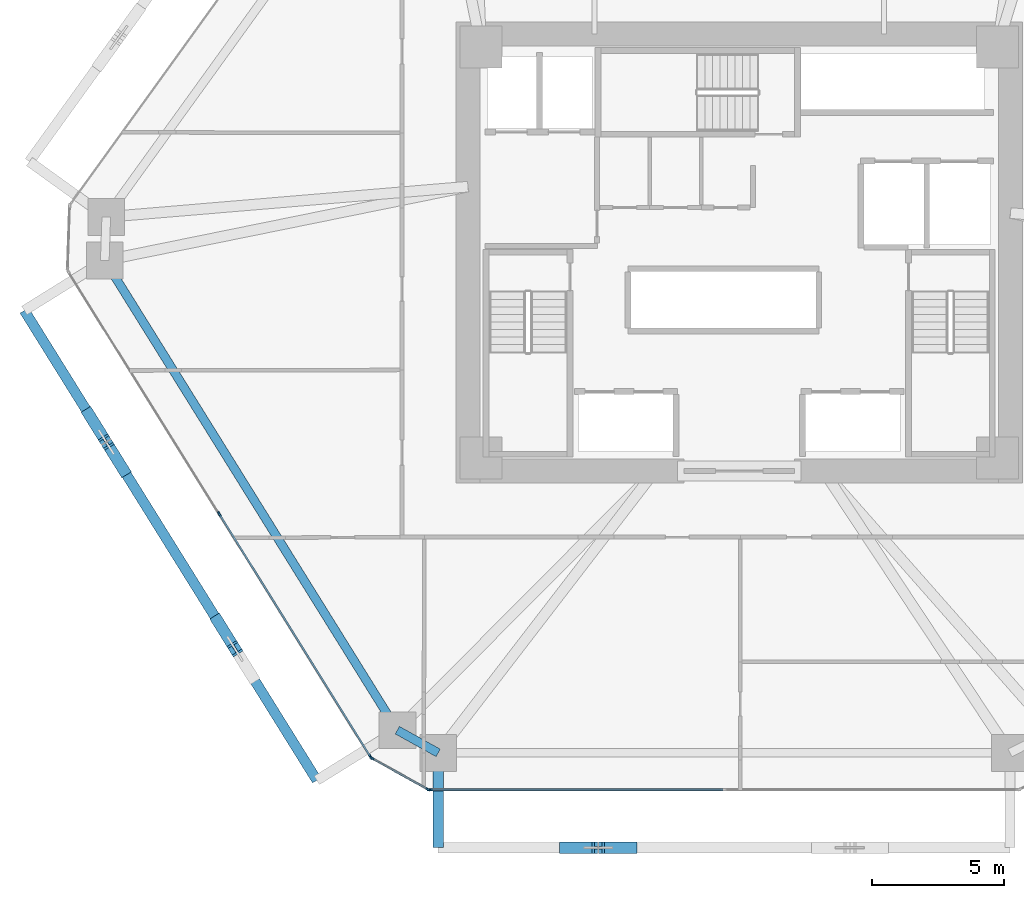
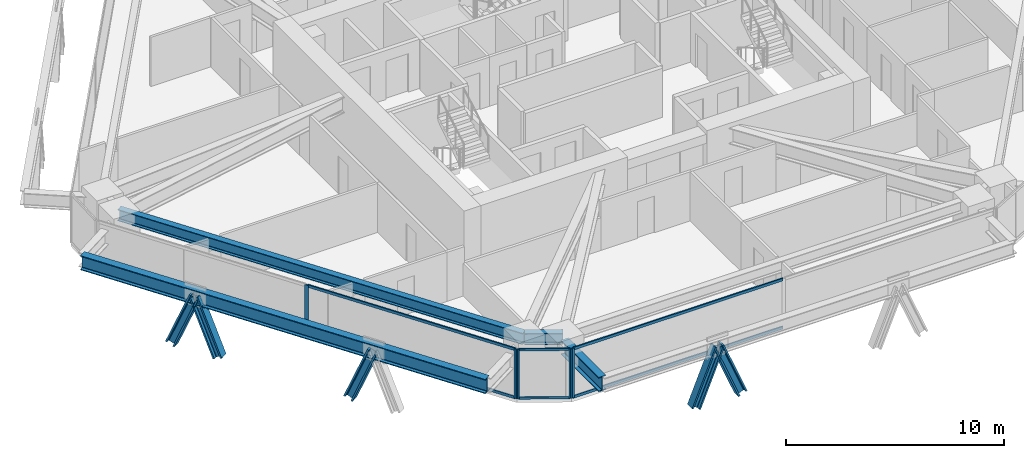
# One storey, part 2 of 18: 16 members, 4 beams, 3 elements without a shape of their own.
"""IFC4 building model written with IfcOpenShell, lengths in metres."""

from ifc_helpers import new_model, si_unit, direction, frame, origin, origin_2d, place, context, subcontext, project, spatial, rectangle, i_section, extrude, source, transform, mapped, material, layer, layer_set, material_profile, profile_set, type_object, type_shapes, element, aggregate, save


model = new_model("IFC4")

# Units and contexts
model_context = context("Model", 3, precision=1e-05, world=origin(), true_north=direction((0.0, 1.0)))
body_context = subcontext(model_context, "Body", "Model", "MODEL_VIEW")
ifc_project = project(units=[si_unit("LENGTHUNIT", "METRE"), si_unit("AREAUNIT", "SQUARE_METRE"), si_unit("VOLUMEUNIT", "CUBIC_METRE"), si_unit("PLANEANGLEUNIT", "RADIAN"), si_unit("MASSUNIT", "GRAM", prefix="KILO")], contexts=[model_context])

# Site, building, storey
site_placement = place(None, origin())
site = spatial("IfcSite", under=ifc_project, at=site_placement, CompositionType="ELEMENT")
building_placement = place(site_placement, origin())
building = spatial("IfcBuilding", under=site, at=building_placement, Name="Durnholm Broadcast Tower", CompositionType="ELEMENT")
storey_placement = place(building_placement, frame((0.0, 0.0, 78.300048828125)))
storey = spatial("IfcBuildingStorey", under=building, at=storey_placement, Name="L20", CompositionType="ELEMENT", Elevation=78.300048828125)

# Beams
ifc_material_1 = material(Name="Steel ASTM A992 Grade 50", Category="steel")
ifc_material_profile_1 = material_profile(ifc_material_1, i_section(OverallWidth=0.3291015625, OverallDepth=0.635009765625, WebThickness=0.017822265625, FlangeThickness=0.031005859375, FilletRadius=0.02783203125, at=origin_2d()), Name="W24X162")
ifc_profile_set_1 = profile_set([ifc_material_profile_1], Name="Steel ASTM A992 Grade 50")
beam_type_1 = type_object("IfcBeamType", Name="STL-SP-W24X162", PredefinedType="SPANDREL", material=ifc_profile_set_1)
shared_shape_1 = source(origin(), body_context, "Body", "SweptSolid", [
    extrude(i_section(OverallWidth=0.3291015625, OverallDepth=0.635009765625, WebThickness=0.017822265625, FlangeThickness=0.031005859375, FilletRadius=0.02783203125, at=origin_2d()), origin(), (0.0, 0.0, 1.0), 21.014404296875),
])
beam_1_placement = place(storey_placement, frame((-12.982666015625, -18.138427734375, 2.427490234375), z_axis=(-0.528595731543, 0.848873696491, 0.0), x_axis=(-0.848873696491, -0.528595731543, 0.0)))
element("IfcBeam", 1, at=beam_1_placement, inside=storey, type_object=beam_type_1, Name="L20 perimeter spandrel girder 01", PredefinedType="SPANDREL", context=body_context, shape_type="MappedRepresentation", body=[
    mapped(shared_shape_1, transform((0.0, 0.0, 0.0), x_axis=(1.0, 0.0, 0.0), y_axis=(0.0, 1.0, 0.0), z_axis=(0.0, 0.0, 1.0), scale=1.0)),
])
shared_shape_2 = source(origin(), body_context, "Body", "SweptSolid", [
    extrude(i_section(OverallWidth=0.3291015625, OverallDepth=0.635009765625, WebThickness=0.017822265625, FlangeThickness=0.031005859375, FilletRadius=0.02783203125, at=origin_2d()), origin(), (0.0, 0.0, 1.0), 1.774658203125),
])
type_shapes(beam_type_1, [shared_shape_1, shared_shape_2])
beam_2_placement = place(storey_placement, frame((-11.43115234375, -19.0, 2.427490234375), z_axis=(-0.874248107979, 0.485479397806, 0.0), x_axis=(-0.485479397806, -0.874248107979, 0.0)))
element("IfcBeam", 2, at=beam_2_placement, inside=storey, type_object=beam_type_1, Name="L20 perimeter spandrel girder 12", PredefinedType="SPANDREL", context=body_context, shape_type="MappedRepresentation", body=[
    mapped(shared_shape_2, transform((0.0, 0.0, 0.0), x_axis=(1.0, 0.0, 0.0), y_axis=(0.0, 1.0, 0.0), z_axis=(0.0, 0.0, 1.0), scale=1.0)),
])
ifc_material_profile_2 = material_profile(ifc_material_1, i_section(OverallWidth=0.385009765625, OverallDepth=0.802978515625, WebThickness=0.023681640625, FlangeThickness=0.0419921875, FilletRadius=0.032958984375, at=origin_2d()), Name="W30X261")
ifc_profile_set_2 = profile_set([ifc_material_profile_2], Name="Steel ASTM A992 Grade 50")
beam_type_2 = type_object("IfcBeamType", Name="BM-EXO-TIE", PredefinedType="USERDEFINED", material=ifc_profile_set_2)
shared_shape_3 = source(origin(), body_context, "Body", "SweptSolid", [
    extrude(i_section(OverallWidth=0.385009765625, OverallDepth=0.802978515625, WebThickness=0.023681640625, FlangeThickness=0.0419921875, FilletRadius=0.032958984375, at=origin_2d()), origin(), (0.0, 0.0, 1.0), 3.4560546875),
])
beam_3_placement = place(storey_placement, frame((-11.43115234375, -19.14404296875, 2.008544921875), z_axis=(0.0, -1.0, 0.0), x_axis=(1.0, 0.0, 0.0)))
element("IfcBeam", 3, at=beam_3_placement, inside=storey, type_object=beam_type_2, Name="L20 exoskeleton stand-off tie bracket F1.1", ObjectType="GIRDER", PredefinedType="USERDEFINED", context=body_context, shape_type="MappedRepresentation", body=[
    mapped(shared_shape_3, transform((0.0, 0.0, 0.0), x_axis=(1.0, 0.0, 0.0), y_axis=(0.0, 1.0, 0.0), z_axis=(0.0, 0.0, 1.0), scale=1.0)),
])
shared_shape_4 = source(origin(), body_context, "Body", "SweptSolid", [
    extrude(i_section(OverallWidth=0.385009765625, OverallDepth=0.802978515625, WebThickness=0.023681640625, FlangeThickness=0.0419921875, FilletRadius=0.032958984375, at=origin_2d()), origin(), (0.0, 0.0, 1.0), 21.0146484375),
])
type_shapes(beam_type_2, [shared_shape_3, shared_shape_4])
beam_4_placement = place(storey_placement, frame((-27.146728515625, -2.20263671875, 2.008544921875), z_axis=(0.528590518575, -0.848876942597, 0.0), x_axis=(0.848876942597, 0.528590518575, 0.0)))
element("IfcBeam", 4, at=beam_4_placement, inside=storey, type_object=beam_type_2, Name="L20 exoskeleton collector spandrel F6", PredefinedType="SPANDREL", context=body_context, shape_type="MappedRepresentation", body=[
    mapped(shared_shape_4, transform((0.0, 0.0, 0.0), x_axis=(1.0, 0.0, 0.0), y_axis=(0.0, 1.0, 0.0), z_axis=(0.0, 0.0, 1.0), scale=1.0)),
])

# Members
ifc_material_2 = material(Name="Steel ASTM A913 Grade 65", Category="steel")
ifc_material_profile_3 = material_profile(ifc_material_2, i_section(OverallWidth=0.43212890625, OverallDepth=0.497802734375, WebThickness=0.0556640625, FlangeThickness=0.0888671875, FilletRadius=0.030517578125, at=origin_2d()), Name="W14X500")
ifc_profile_set_3 = profile_set([ifc_material_profile_3], Name="Steel ASTM A913 Grade 65")
member_type_1 = type_object("IfcMemberType", Name="STL-DG-W14X500", PredefinedType="BRACE", material=ifc_profile_set_3)
shared_shape_5 = source(origin(), body_context, "Body", "SweptSolid", [
    extrude(i_section(OverallWidth=0.43212890625, OverallDepth=0.497802734375, WebThickness=0.0556640625, FlangeThickness=0.0888671875, FilletRadius=0.030517578125, at=origin_2d()), origin(), (0.0, 0.0, 1.0), 3.243896484375),
])
type_shapes(member_type_1, [shared_shape_5])
for number, where, z_axis, x_axis, name in (
    (5, (-6.585205078125, -22.60009765625, -0.991455078125), (0.380378804119, 0.0, 0.924830776616), (0.0, 1.0, 0.0), "L20 stand-off diagrid brace F1.D1.1"),
    (6, (-4.117431640625, -22.60009765625, -0.991455078125), (-0.380378804119, 0.0, 0.924830776616), (0.0, -1.0, 0.0), "L20 stand-off diagrid brace F1.D1.2"),
    (7, (-24.688720703125, -6.150146484375, -0.991455078125), (0.201102088214, -0.322877229954, 0.924828764958), (0.848819847179, 0.528682198523, 0.0), "L20 stand-off diagrid brace F6.D1.1"),
    (8, (-23.38427734375, -8.244873046875, -0.991455078125), (-0.201029867597, 0.322882116058, 0.9248427604), (-0.848908635391, -0.528539618911, 0.0), "L20 stand-off diagrid brace F6.D1.2"),
    (9, (-19.801025390625, -13.9990234375, -0.991455078125), (0.201029867597, -0.322882116058, 0.9248427604), (0.848908635391, 0.528539618911, 0.0), "L20 stand-off diagrid brace F6.D2.1"),
):
    element("IfcMember", number, at=place(storey_placement, frame(where, z_axis=z_axis, x_axis=x_axis)), inside=storey, type_object=member_type_1, Name=name, PredefinedType="BRACE", context=body_context, shape_type="MappedRepresentation", body=[
        mapped(shared_shape_5, transform((0.0, 0.0, 0.0), x_axis=(1.0, 0.0, 0.0), y_axis=(0.0, 1.0, 0.0), z_axis=(0.0, 0.0, 1.0), scale=1.0)),
    ])

# Curtain wall, members
ifc_material_3 = material(Name="Aluminium and Solar Control IGU", Category="aluminium")
ifc_layer_1 = layer(ifc_material_3, 0.1650390625)
ifc_layer_set_1 = layer_set([ifc_layer_1], Name="Aluminium and Solar Control IGU")
curtain_wall_type_1 = type_object("IfcCurtainWallType", Name="CW-SYS-5", PredefinedType="NOTDEFINED", material=ifc_layer_set_1)
curtain_wall_1_placement = place(storey_placement, origin())
curtain_wall_1 = element("IfcCurtainWall", 10, at=curtain_wall_1_placement, inside=storey, type_object=curtain_wall_type_1, Name="L20 curtain wall CW-CORNER CW-L20-CRN-11", PredefinedType="NOTDEFINED")
ifc_material_4 = material(Name="Aluminium 6063-T6", Category="aluminium")
ifc_material_profile_4 = material_profile(ifc_material_4, rectangle(XDim=0.06494140625, YDim=0.1298828125, at=origin_2d()), Name="CWT65X130")
ifc_profile_set_4 = profile_set([ifc_material_profile_4], Name="Aluminium 6063-T6")
member_type_2 = type_object("IfcMemberType", Name="CW-SYS-5-TRN", PredefinedType="USERDEFINED", material=ifc_profile_set_4)
shared_shape_6 = source(origin(), body_context, "Body", "SweptSolid", [
    extrude(rectangle(XDim=0.06494140625, YDim=0.1298828125, at=origin_2d()), origin(), (0.0, 0.0, 1.0), 2.3701171875),
])
type_shapes(member_type_2, [shared_shape_6])
member_1_placement = place(storey_placement, frame((-11.8505859375, -20.368408203125, 0.032470703125), z_axis=(-0.874244723151, 0.485485493132, 0.0), x_axis=(-0.485485493132, -0.874244723151, 0.0)))
member_1 = element("IfcMember", 11, at=member_1_placement, type_object=member_type_2, Name="CW-CORNER transom 1.1", ObjectType="TRANSOM", PredefinedType="USERDEFINED", context=body_context, shape_type="MappedRepresentation", body=[
    mapped(shared_shape_6, transform((0.0, 0.0, 0.0), x_axis=(1.0, 0.0, 0.0), y_axis=(0.0, 1.0, 0.0), z_axis=(0.0, 0.0, 1.0), scale=1.0)),
])
member_2_placement = place(storey_placement, frame((-11.8505859375, -20.368408203125, 2.7275390625), z_axis=(-0.874244723151, 0.485485493132, 0.0), x_axis=(-0.485485493132, -0.874244723151, 0.0)))
member_2 = element("IfcMember", 12, at=member_2_placement, type_object=member_type_2, Name="CW-CORNER transom 1.2", ObjectType="TRANSOM", PredefinedType="USERDEFINED", context=body_context, shape_type="MappedRepresentation", body=[
    mapped(shared_shape_6, transform((0.0, 0.0, 0.0), x_axis=(1.0, 0.0, 0.0), y_axis=(0.0, 1.0, 0.0), z_axis=(0.0, 0.0, 1.0), scale=1.0)),
])

ifc_layer_2 = layer(ifc_material_3, 0.18994140625)
ifc_layer_set_2 = layer_set([ifc_layer_2], Name="Aluminium and Solar Control IGU")
curtain_wall_type_2 = type_object("IfcCurtainWallType", Name="CW-SYS-3", PredefinedType="NOTDEFINED", material=ifc_layer_set_2)
curtain_wall_2_placement = place(storey_placement, origin())
curtain_wall_2 = element("IfcCurtainWall", 13, at=curtain_wall_2_placement, inside=storey, type_object=curtain_wall_type_2, Name="L20 curtain wall CW-Z12-VIS CW-L20-F12", PredefinedType="NOTDEFINED")
ifc_material_profile_5 = material_profile(ifc_material_4, rectangle(XDim=0.070068359375, YDim=0.14990234375, at=origin_2d()), Name="CWT70X150")
ifc_profile_set_5 = profile_set([ifc_material_profile_5], Name="Aluminium 6063-T6")
member_type_3 = type_object("IfcMemberType", Name="CW-SYS-3-TRN", PredefinedType="USERDEFINED", material=ifc_profile_set_5)
shared_shape_7 = source(origin(), body_context, "Body", "SweptSolid", [
    extrude(rectangle(XDim=0.070068359375, YDim=0.14990234375, at=origin_2d()), origin(), (0.0, 0.0, 1.0), 10.796630859375),
])
member_3_placement = place(storey_placement, frame((-14.016357421875, -19.126953125, 0.034912109375), z_axis=(-0.528591657678, 0.848876233283, 0.0), x_axis=(-0.848876233283, -0.528591657678, 0.0)))
member_3 = element("IfcMember", 14, at=member_3_placement, type_object=member_type_3, Name="CW-Z12-VIS transom 1.1", ObjectType="TRANSOM", PredefinedType="USERDEFINED", context=body_context, shape_type="MappedRepresentation", body=[
    mapped(shared_shape_7, transform((0.0, 0.0, 0.0), x_axis=(1.0, 0.0, 0.0), y_axis=(0.0, 1.0, 0.0), z_axis=(0.0, 0.0, 1.0), scale=1.0)),
])
member_4_placement = place(storey_placement, frame((-14.016357421875, -19.126953125, 2.724853515625), z_axis=(-0.528591657678, 0.848876233283, 0.0), x_axis=(-0.848876233283, -0.528591657678, 0.0)))
member_4 = element("IfcMember", 15, at=member_4_placement, type_object=member_type_3, Name="CW-Z12-VIS transom 1.2", ObjectType="TRANSOM", PredefinedType="USERDEFINED", context=body_context, shape_type="MappedRepresentation", body=[
    mapped(shared_shape_7, transform((0.0, 0.0, 0.0), x_axis=(1.0, 0.0, 0.0), y_axis=(0.0, 1.0, 0.0), z_axis=(0.0, 0.0, 1.0), scale=1.0)),
])

curtain_wall_3_placement = place(storey_placement, origin())
curtain_wall_3 = element("IfcCurtainWall", 16, at=curtain_wall_3_placement, inside=storey, type_object=curtain_wall_type_2, Name="L20 curtain wall CW-Z12-VIS CW-L20-F10", PredefinedType="NOTDEFINED")
shared_shape_8 = source(origin(), body_context, "Body", "SweptSolid", [
    extrude(rectangle(XDim=0.070068359375, YDim=0.14990234375, at=origin_2d()), origin(), (0.0, 0.0, 1.0), 11.10205078125),
])
type_shapes(member_type_3, [shared_shape_7, shared_shape_8])
member_5_placement = place(storey_placement, frame((-0.621826171875, -20.39990234375, 0.034912109375), z_axis=(-1.0, 0.0, 0.0), x_axis=(0.0, -1.0, 0.0)))
member_5 = element("IfcMember", 17, at=member_5_placement, type_object=member_type_3, Name="CW-Z12-VIS transom 2.1", ObjectType="TRANSOM", PredefinedType="USERDEFINED", context=body_context, shape_type="MappedRepresentation", body=[
    mapped(shared_shape_8, transform((0.0, 0.0, 0.0), x_axis=(1.0, 0.0, 0.0), y_axis=(0.0, 1.0, 0.0), z_axis=(0.0, 0.0, 1.0), scale=1.0)),
])
member_6_placement = place(storey_placement, frame((-0.621826171875, -20.39990234375, 2.724853515625), z_axis=(-1.0, 0.0, 0.0), x_axis=(0.0, -1.0, 0.0)))
member_6 = element("IfcMember", 18, at=member_6_placement, type_object=member_type_3, Name="CW-Z12-VIS transom 2.2", ObjectType="TRANSOM", PredefinedType="USERDEFINED", context=body_context, shape_type="MappedRepresentation", body=[
    mapped(shared_shape_8, transform((0.0, 0.0, 0.0), x_axis=(1.0, 0.0, 0.0), y_axis=(0.0, 1.0, 0.0), z_axis=(0.0, 0.0, 1.0), scale=1.0)),
])

# Member
ifc_material_profile_6 = material_profile(ifc_material_4, rectangle(XDim=0.06494140625, YDim=0.1650390625, at=origin_2d()), Name="CWM65X165")
ifc_profile_set_6 = profile_set([ifc_material_profile_6], Name="Aluminium 6063-T6")
member_type_4 = type_object("IfcMemberType", Name="CW-SYS-5-MUL", PredefinedType="MULLION", material=ifc_profile_set_6)
shared_shape_9 = source(origin(), body_context, "Body", "SweptSolid", [
    extrude(rectangle(XDim=0.06494140625, YDim=0.1650390625, at=origin_2d()), origin(), (0.0, 0.0, 1.0), 2.760009765625),
])
type_shapes(member_type_4, [shared_shape_9])
member_7_placement = place(storey_placement, frame((-11.822265625, -20.38427734375, 0.0), z_axis=(0.0, 0.0, 1.0), x_axis=(-0.485483299359, -0.874245941394, 0.0)))
member_7 = element("IfcMember", 19, at=member_7_placement, type_object=member_type_4, Name="CW-CORNER mullion 1", PredefinedType="MULLION", context=body_context, shape_type="MappedRepresentation", body=[
    mapped(shared_shape_9, transform((0.0, 0.0, 0.0), x_axis=(1.0, 0.0, 0.0), y_axis=(0.0, 1.0, 0.0), z_axis=(0.0, 0.0, 1.0), scale=1.0)),
])

member_8_placement = place(storey_placement, frame((-13.950927734375, -19.2021484375, 0.0), z_axis=(0.0, 0.0, 1.0), x_axis=(-0.485483299359, -0.874245941394, 0.0)))
member_8 = element("IfcMember", 20, at=member_8_placement, type_object=member_type_4, Name="CW-CORNER mullion 2", PredefinedType="MULLION", context=body_context, shape_type="MappedRepresentation", body=[
    mapped(shared_shape_9, transform((0.0, 0.0, 0.0), x_axis=(1.0, 0.0, 0.0), y_axis=(0.0, 1.0, 0.0), z_axis=(0.0, 0.0, 1.0), scale=1.0)),
])

aggregate(curtain_wall_1, [member_7, member_8, member_1, member_2])

ifc_material_profile_7 = material_profile(ifc_material_4, rectangle(XDim=0.070068359375, YDim=0.18994140625, at=origin_2d()), Name="CWM70X190")
ifc_profile_set_7 = profile_set([ifc_material_profile_7], Name="Aluminium 6063-T6")
member_type_5 = type_object("IfcMemberType", Name="CW-SYS-3-MUL", PredefinedType="MULLION", material=ifc_profile_set_7)
shared_shape_10 = source(origin(), body_context, "Body", "SweptSolid", [
    extrude(rectangle(XDim=0.070068359375, YDim=0.18994140625, at=origin_2d()), origin(), (0.0, 0.0, 1.0), 2.760009765625),
])
type_shapes(member_type_5, [shared_shape_10])
member_9_placement = place(storey_placement, frame((-11.7587890625, -20.39990234375, 0.0), z_axis=(0.0, 0.0, 1.0), x_axis=(0.0, -1.0, 0.0)))
member_9 = element("IfcMember", 21, at=member_9_placement, type_object=member_type_5, Name="CW-Z12-VIS mullion 3", PredefinedType="MULLION", context=body_context, shape_type="MappedRepresentation", body=[
    mapped(shared_shape_10, transform((0.0, 0.0, 0.0), x_axis=(1.0, 0.0, 0.0), y_axis=(0.0, 1.0, 0.0), z_axis=(0.0, 0.0, 1.0), scale=1.0)),
])

aggregate(curtain_wall_3, [member_9, member_5, member_6])

member_10_placement = place(storey_placement, frame((-13.997802734375, -19.156494140625, 0.0), z_axis=(0.0, 0.0, 1.0), x_axis=(-0.848875785503, -0.528592376777, 0.0)))
member_10 = element("IfcMember", 22, at=member_10_placement, type_object=member_type_5, Name="CW-Z12-VIS mullion 1", PredefinedType="MULLION", context=body_context, shape_type="MappedRepresentation", body=[
    mapped(shared_shape_10, transform((0.0, 0.0, 0.0), x_axis=(1.0, 0.0, 0.0), y_axis=(0.0, 1.0, 0.0), z_axis=(0.0, 0.0, 1.0), scale=1.0)),
])

member_11_placement = place(storey_placement, frame((-19.741943359375, -9.93212890625, 0.0), z_axis=(0.0, 0.0, 1.0), x_axis=(-0.848875785503, -0.528592376777, 0.0)))
member_11 = element("IfcMember", 23, at=member_11_placement, type_object=member_type_5, Name="CW-Z12-VIS mullion 2", PredefinedType="MULLION", context=body_context, shape_type="MappedRepresentation", body=[
    mapped(shared_shape_10, transform((0.0, 0.0, 0.0), x_axis=(1.0, 0.0, 0.0), y_axis=(0.0, 1.0, 0.0), z_axis=(0.0, 0.0, 1.0), scale=1.0)),
])

aggregate(curtain_wall_2, [member_10, member_11, member_3, member_4])

save(model, "model.ifc")
